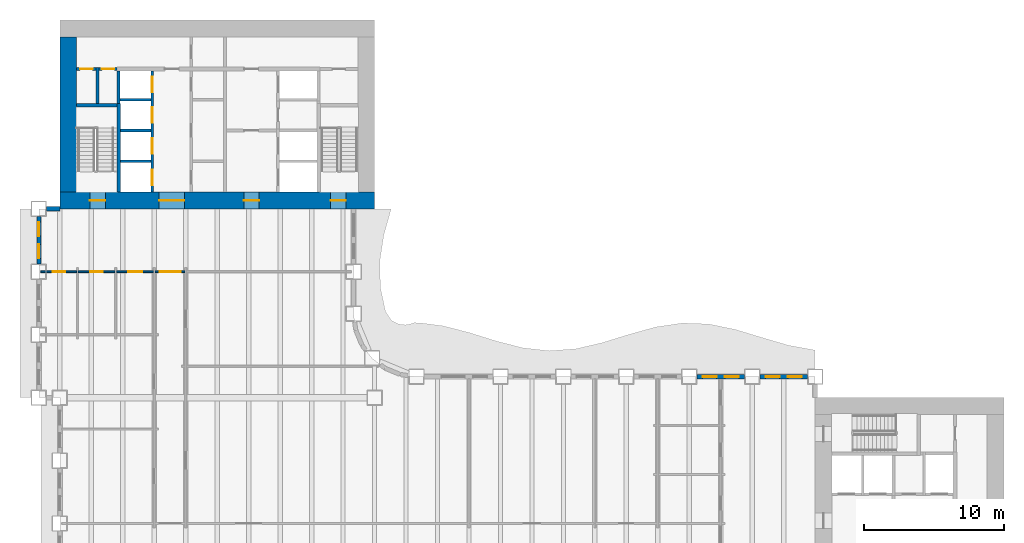
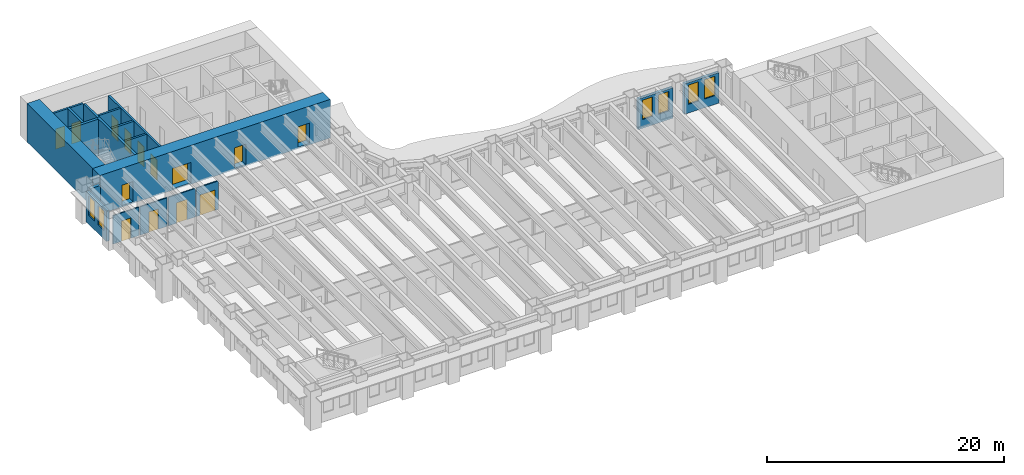
# One storey, part 7 of 16: 20 walls, 14 doors, 6 windows, 20 openings.
"""IFC4 building model written with IfcOpenShell, lengths in metres."""

import ifcopenshell
import ifcopenshell.guid

model = None  # the IFC model being written
_history = None  # IfcOwnerHistory: only IFC2X3 demands one
_inside = {}  # id of a spatial element -> (the spatial element, [elements in it])
_under = {}  # id of a project, library or spatial element -> (it, [spatial elements below it])
_declared = {}  # id of a project -> (the project, [libraries it declares])
_typed = {}  # id of a type object -> (the type object, [elements of that type])
_made_of = {}  # id of a material, layer set ... -> (it, [elements and type objects made of it])


def new_model(schema):
    """Start an empty IFC model of exactly this schema.

    Asked for "IFC4X3", IfcOpenShell would pick the latest addendum, in which some entities
    have other attributes; the version numbers below select the first issue.
    IFC2X3 requires an IfcOwnerHistory on every rooted entity: one is made here for all.
    """
    global model, _history
    if schema == "IFC4X3":
        model = ifcopenshell.file(schema_version=(4, 3, 0, 0))
    else:
        model = ifcopenshell.file(schema=schema)
    _inside.clear()
    _under.clear()
    _declared.clear()
    _typed.clear()
    _made_of.clear()
    _history = None
    if model.schema == "IFC2X3":
        org = make("IfcOrganization", Name="unknown")
        user = make(
            "IfcPersonAndOrganization",
            ThePerson=make("IfcPerson", FamilyName="unknown"),
            TheOrganization=org,
        )
        app = make(
            "IfcApplication",
            ApplicationDeveloper=org,
            Version="unknown",
            ApplicationFullName="unknown",
            ApplicationIdentifier="unknown",
        )
        _history = make(
            "IfcOwnerHistory",
            OwningUser=user,
            OwningApplication=app,
            ChangeAction="ADDED",
            CreationDate=0,
        )
    return model


def make(cls, **values):
    """One entity of the class cls with the attributes given. An attribute that is None is left unset."""
    return model.create_entity(
        cls, **{name: value for name, value in values.items() if value is not None}
    )


def rooted(cls, **values):
    """An entity with a GlobalId (a new one), such as an element, a storey or a relation."""
    return make(cls, GlobalId=ifcopenshell.guid.new(), OwnerHistory=_history, **values)


def si_unit(unit_type, name, prefix=None):
    """IfcSIUnit, for example si_unit("LENGTHUNIT", "METRE", prefix="MILLI")."""
    return make("IfcSIUnit", UnitType=unit_type, Prefix=prefix, Name=name)


def assignment(units):
    """IfcUnitAssignment: the units of a project."""
    return None if units is None else make("IfcUnitAssignment", Units=units)


def point(xyz):
    """IfcCartesianPoint."""
    return None if xyz is None else make("IfcCartesianPoint", Coordinates=xyz)


def direction(xyz):
    """IfcDirection."""
    return None if xyz is None else make("IfcDirection", DirectionRatios=xyz)


def frame(location, z_axis=None, x_axis=None):
    """IfcAxis2Placement3D, a coordinate frame: its origin and axes. An axis left out is left unset."""
    return make(
        "IfcAxis2Placement3D",
        Location=point(location),
        Axis=direction(z_axis),
        RefDirection=direction(x_axis),
    )


def frame_2d(location, x_axis=None):
    """IfcAxis2Placement2D, a coordinate frame in the plane: its origin and x axis."""
    return make(
        "IfcAxis2Placement2D", Location=point(location), RefDirection=direction(x_axis)
    )


def origin():
    """The frame at (0, 0, 0) with its axes left unset."""
    return frame((0.0, 0.0, 0.0))


def place(relative_to, where):
    """IfcLocalPlacement: puts the frame where relative to a parent placement (None: the world)."""
    return make(
        "IfcLocalPlacement", PlacementRelTo=relative_to, RelativePlacement=where
    )


def context(
    kind, dimensions, precision=None, world=None, true_north=None, identifier=None
):
    """IfcGeometricRepresentationContext, for example the 3D "Model" context."""
    return make(
        "IfcGeometricRepresentationContext",
        ContextIdentifier=identifier,
        ContextType=kind,
        CoordinateSpaceDimension=dimensions,
        Precision=precision,
        WorldCoordinateSystem=world,
        TrueNorth=true_north,
    )


def subcontext(parent, identifier, kind, view, scale=None):
    """IfcGeometricRepresentationSubContext, for example "Body" below "Model"."""
    return make(
        "IfcGeometricRepresentationSubContext",
        ContextIdentifier=identifier,
        ContextType=kind,
        ParentContext=parent,
        TargetScale=scale,
        TargetView=view,
    )


def project(units=None, contexts=None):
    """IfcProject with its units and contexts."""
    return rooted(
        "IfcProject",
        Name="project",
        RepresentationContexts=contexts,
        UnitsInContext=assignment(units),
    )


def spatial(cls, under=None, at=None, **own):
    """A site, building, storey or space (cls), placed at a placement, below another one or the project."""
    s = rooted(cls, ObjectPlacement=at, **own)
    if under is not None:
        _under.setdefault(under.id(), (under, []))[1].append(s)
    return s


def profile(cls, at=None, kind="AREA", **sizes):
    """A parametric profile (cls). Its sizes go by their IFC names, for example OverallWidth=200.0."""
    return make(cls, ProfileType=kind, Position=at, **sizes)


def rectangle(**sizes):
    """IfcRectangleProfileDef."""
    return profile("IfcRectangleProfileDef", **sizes)


def extrude(swept, where, along, depth):
    """IfcExtrudedAreaSolid: the profile swept, set in the frame where, extruded along a direction by depth."""
    return make(
        "IfcExtrudedAreaSolid",
        SweptArea=swept,
        Position=where,
        ExtrudedDirection=direction(along),
        Depth=depth,
    )


def shape(context_of_items, identifier, shape_type, items):
    """IfcShapeRepresentation: the items that make up one representation, for example the "Body"."""
    return make(
        "IfcShapeRepresentation",
        ContextOfItems=context_of_items,
        RepresentationIdentifier=identifier,
        RepresentationType=shape_type,
        Items=items,
    )


def material(Name=None, Category=None):
    """IfcMaterial."""
    return make("IfcMaterial", Name=Name, Category=Category)


def layer(
    of_material, thickness, ventilated=None, Name=None, Category=None, Priority=None
):
    """IfcMaterialLayer: one layer of a wall or slab, of a material (None: an air gap)."""
    return make(
        "IfcMaterialLayer",
        Material=of_material,
        LayerThickness=thickness,
        IsVentilated=ventilated,
        Name=Name,
        Category=Category,
        Priority=Priority,
    )


def layer_set(layers, Name=None):
    """IfcMaterialLayerSet."""
    return make("IfcMaterialLayerSet", MaterialLayers=layers, LayerSetName=Name)


def made_of(thing, what):
    """Note that an element or type object is made of a material, layer set ...; save() writes the relation."""
    if what is not None:
        _made_of.setdefault(what.id(), (what, []))[1].append(thing)
    return thing


def type_object(cls, material=None, **own):
    """A type object (cls), such as IfcWallType, which elements share."""
    return made_of(rooted(cls, **own), material)


def element(
    cls,
    number,
    at=None,
    inside=None,
    cuts=None,
    type_object=None,
    material=None,
    context=None,
    identifier="Body",
    shape_type=None,
    held_by="IfcProductDefinitionShape",
    body=None,
    shapes=None,
    **own,
):
    """One element of the class cls, such as IfcWall. Its Tag is "e" and its number.

    at: its placement. inside: the storey or other place that contains it. cuts: it is an
    opening in that element (IfcRelVoidsElement). A single representation is given by context,
    identifier, shape_type and body (its items); several are given by shapes. held_by: the class
    of the entity that holds the representations. save() writes the other relations.
    """
    e = rooted(cls, Tag="e%d" % number, ObjectPlacement=at, **own)
    if body is not None:
        shapes = [shape(context, identifier, shape_type, body)]
    if shapes is not None:
        e.Representation = make(held_by, Representations=shapes)
    if inside is not None:
        _inside.setdefault(inside.id(), (inside, []))[1].append(e)
    if cuts is not None:
        rooted(
            "IfcRelVoidsElement", RelatingBuildingElement=cuts, RelatedOpeningElement=e
        )
    if type_object is not None:
        _typed.setdefault(type_object.id(), (type_object, []))[1].append(e)
    return made_of(e, material)


def fill(opening, filler):
    """IfcRelFillsElement: the door or window that sits in an opening."""
    return rooted(
        "IfcRelFillsElement",
        RelatingOpeningElement=opening,
        RelatedBuildingElement=filler,
    )


def aggregate(whole, parts):
    """IfcRelAggregates: a whole, such as a stair, and the parts it consists of."""
    return rooted("IfcRelAggregates", RelatingObject=whole, RelatedObjects=parts)


def save(model, path):
    """Write the relations noted so far, then the file.

    IfcRelAggregates (storeys below a building ...), IfcRelContainedInSpatialStructure (elements
    in a storey), IfcRelDefinesByType, IfcRelAssociatesMaterial and IfcRelDeclares: one each for
    every whole, place, type object, material and project.
    """
    for whole, parts in _under.values():
        aggregate(whole, parts)
    for where, things in _inside.values():
        rooted(
            "IfcRelContainedInSpatialStructure",
            RelatedElements=things,
            RelatingStructure=where,
        )
    for kind, things in _typed.values():
        rooted("IfcRelDefinesByType", RelatedObjects=things, RelatingType=kind)
    for what, things in _made_of.values():
        rooted("IfcRelAssociatesMaterial", RelatedObjects=things, RelatingMaterial=what)
    for by, libraries in _declared.values():
        rooted("IfcRelDeclares", RelatingContext=by, RelatedDefinitions=libraries)
    model.write(path)


model = new_model("IFC4")

# Units and contexts
model_context = context("Model", 3, precision=1e-05, world=origin(), true_north=direction((0.0, 1.0)))
body_context = subcontext(model_context, "Body", "Model", "MODEL_VIEW")
ifc_project = project(units=[si_unit("LENGTHUNIT", "METRE"), si_unit("AREAUNIT", "SQUARE_METRE"), si_unit("VOLUMEUNIT", "CUBIC_METRE"), si_unit("PLANEANGLEUNIT", "RADIAN"), si_unit("MASSUNIT", "GRAM", prefix="KILO")], contexts=[model_context])

# Site, building, storey
site_placement = place(None, origin())
site = spatial("IfcSite", under=ifc_project, at=site_placement, CompositionType="ELEMENT")
building_placement = place(site_placement, origin())
building = spatial("IfcBuilding", under=site, at=building_placement, Name="Sennacour Bend Tower", CompositionType="ELEMENT")
storey_placement = place(building_placement, frame((0.0, 0.0, 45.0)))
storey = spatial("IfcBuildingStorey", under=building, at=storey_placement, Name="L09", CompositionType="ELEMENT", Elevation=45.0)

# Wall, openings, doors
ifc_material_1 = material(Name="Concrete C80/95", Category="concrete")
ifc_layer_1 = layer(ifc_material_1, 1.199951171875, Name="Concrete C80/95", Category="concrete")
ifc_layer_set_1 = layer_set([ifc_layer_1], Name="Concrete C80/95")
wall_type_1 = type_object("IfcWallType", Name="Core wall 1200 C80/95", PredefinedType="SHEAR", material=ifc_layer_set_1)
wall_1_placement = place(storey_placement, frame((0.0, 36.60009765625, -0.14990234375), z_axis=(0.0, 0.0, 1.0), x_axis=(1.0, 0.0, 0.0)))
wall_1 = element("IfcWall", 1, at=wall_1_placement, inside=storey, type_object=wall_type_1, Name="Core B wall L09 S", PredefinedType="SHEAR", context=body_context, shape_type="SweptSolid", body=[
    extrude(rectangle(XDim=22.5, YDim=1.199951171875, at=frame_2d((11.25, 0.0))), origin(), (0.0, 0.0, 1.0), 4.0),
])
opening_1_placement = place(wall_1_placement, frame((7.10009765625, 0.0, 0.14990234375)))
opening_1 = element("IfcOpeningElement", 2, at=opening_1_placement, cuts=wall_1, Name="Opening CD", PredefinedType="OPENING", context=body_context, shape_type="SweptSolid", body=[
    extrude(rectangle(XDim=1.800048828125, YDim=2.10009765625, at=frame_2d((0.89990234375, 1.050048828125))), frame((0.0, 0.60986328125, 0.0), z_axis=(0.0, -1.0, 0.0), x_axis=(1.0, 0.0, 0.0)), (0.0, 0.0, 1.0), 1.219970703125),
])
opening_2_placement = place(wall_1_placement, frame((13.14990234375, 0.0, 0.14990234375)))
opening_2 = element("IfcOpeningElement", 3, at=opening_2_placement, cuts=wall_1, Name="Opening FD", PredefinedType="OPENING", context=body_context, shape_type="SweptSolid", body=[
    extrude(rectangle(XDim=1.10009765625, YDim=2.10009765625, at=frame_2d((0.550048828125, 1.050048828125))), frame((0.0, 0.60986328125, 0.0), z_axis=(0.0, -1.0, 0.0), x_axis=(1.0, 0.0, 0.0)), (0.0, 0.0, 1.0), 1.219970703125),
])
opening_3_placement = place(wall_1_placement, frame((2.14990234375, 0.0, 0.14990234375)))
opening_3 = element("IfcOpeningElement", 4, at=opening_3_placement, cuts=wall_1, Name="Opening SD", PredefinedType="OPENING", context=body_context, shape_type="SweptSolid", body=[
    extrude(rectangle(XDim=1.10009765625, YDim=2.10009765625, at=frame_2d((0.550048828125, 1.050048828125))), frame((0.0, 0.60986328125, 0.0), z_axis=(0.0, -1.0, 0.0), x_axis=(1.0, 0.0, 0.0)), (0.0, 0.0, 1.0), 1.219970703125),
])
opening_4_placement = place(wall_1_placement, frame((19.35009765625, 0.0, 0.14990234375)))
opening_4 = element("IfcOpeningElement", 5, at=opening_4_placement, cuts=wall_1, Name="Opening SD", PredefinedType="OPENING", context=body_context, shape_type="SweptSolid", body=[
    extrude(rectangle(XDim=1.10009765625, YDim=2.10009765625, at=frame_2d((0.550048828125, 1.050048828125))), frame((0.0, 0.60986328125, 0.0), z_axis=(0.0, -1.0, 0.0), x_axis=(1.0, 0.0, 0.0)), (0.0, 0.0, 1.0), 1.219970703125),
])
ifc_material_2 = material(Name="Painted steel", Category="steel")
door_type_1 = type_object("IfcDoorType", Name="DR-FFL-1100", OperationType="NOTDEFINED", PredefinedType="DOOR", material=ifc_material_2)
door_1_placement = place(opening_2_placement, origin())
door_1 = element("IfcDoor", 6, at=door_1_placement, inside=storey, type_object=door_type_1, Name="Door", OperationType="SINGLE_SWING_RIGHT", OverallHeight=2.10009765625, OverallWidth=1.10009765625, PredefinedType="DOOR", context=body_context, shape_type="SweptSolid", body=[
    extrude(rectangle(XDim=1.10009765625, YDim=2.10009765625, at=frame_2d((0.550048828125, 1.050048828125))), frame((0.0, 0.02490234375, 0.0), z_axis=(0.0, -1.0, 0.0), x_axis=(1.0, 0.0, 0.0)), (0.0, 0.0, 1.0), 0.050048828125),
])
fill(opening_2, door_1)
door_type_2 = type_object("IfcDoorType", Name="DR-LOBBY-1800", OperationType="NOTDEFINED", PredefinedType="DOOR", material=ifc_material_2)
door_2_placement = place(opening_1_placement, origin())
door_2 = element("IfcDoor", 7, at=door_2_placement, inside=storey, type_object=door_type_2, Name="Door", OperationType="DOUBLE_DOOR_SINGLE_SWING", OverallHeight=2.10009765625, OverallWidth=1.800048828125, PredefinedType="DOOR", context=body_context, shape_type="SweptSolid", body=[
    extrude(rectangle(XDim=1.800048828125, YDim=2.10009765625, at=frame_2d((0.89990234375, 1.050048828125))), frame((0.0, 0.02490234375, 0.0), z_axis=(0.0, -1.0, 0.0), x_axis=(1.0, 0.0, 0.0)), (0.0, 0.0, 1.0), 0.050048828125),
])
fill(opening_1, door_2)
door_type_3 = type_object("IfcDoorType", Name="DR-STAIR-1100", OperationType="NOTDEFINED", PredefinedType="DOOR", material=ifc_material_2)
door_3_placement = place(opening_3_placement, origin())
door_3 = element("IfcDoor", 8, at=door_3_placement, inside=storey, type_object=door_type_3, Name="Door", OperationType="SINGLE_SWING_LEFT", OverallHeight=2.10009765625, OverallWidth=1.10009765625, PredefinedType="DOOR", context=body_context, shape_type="SweptSolid", body=[
    extrude(rectangle(XDim=1.10009765625, YDim=2.10009765625, at=frame_2d((0.550048828125, 1.050048828125))), frame((0.0, 0.02490234375, 0.0), z_axis=(0.0, -1.0, 0.0), x_axis=(1.0, 0.0, 0.0)), (0.0, 0.0, 1.0), 0.050048828125),
])
fill(opening_3, door_3)
door_4_placement = place(opening_4_placement, origin())
door_4 = element("IfcDoor", 9, at=door_4_placement, inside=storey, type_object=door_type_3, Name="Door", OperationType="SINGLE_SWING_RIGHT", OverallHeight=2.10009765625, OverallWidth=1.10009765625, PredefinedType="DOOR", context=body_context, shape_type="SweptSolid", body=[
    extrude(rectangle(XDim=1.10009765625, YDim=2.10009765625, at=frame_2d((0.550048828125, 1.050048828125))), frame((0.0, 0.02490234375, 0.0), z_axis=(0.0, -1.0, 0.0), x_axis=(1.0, 0.0, 0.0)), (0.0, 0.0, 1.0), 0.050048828125),
])
fill(opening_4, door_4)

# Wall
wall_2_placement = place(storey_placement, frame((0.60009765625, 37.199951171875, -0.14990234375), z_axis=(0.0, 0.0, 1.0), x_axis=(0.0, 1.0, 0.0)))
element("IfcWall", 10, at=wall_2_placement, inside=storey, type_object=wall_type_1, Name="Core B wall L09 W", PredefinedType="SHEAR", context=body_context, shape_type="SweptSolid", body=[
    extrude(rectangle(XDim=11.10009765625, YDim=1.199951171875, at=frame_2d((5.550048828125, 0.0))), origin(), (0.0, 0.0, 1.0), 4.0),
])

# Wall, opening, door
ifc_material_3 = material(Name="Plasterboard partition on steel studs", Category="steel")
ifc_layer_2 = layer(ifc_material_3, 0.1201171875, Name="Plasterboard partition on steel studs", Category="steel")
ifc_layer_set_2 = layer_set([ifc_layer_2], Name="Plasterboard partition on steel studs")
wall_type_2 = type_object("IfcWallType", Name="Partition 120", PredefinedType="PARTITIONING", material=ifc_layer_set_2)
wall_3_placement = place(storey_placement, frame((-1.35009765625, 31.5, 0.0), z_axis=(0.0, 0.0, 1.0), x_axis=(1.0, 0.0, 0.0)))
wall_3 = element("IfcWall", 11, at=wall_3_placement, inside=storey, type_object=wall_type_2, Name="P-L09-W075aa", PredefinedType="PARTITIONING", context=body_context, shape_type="SweptSolid", body=[
    extrude(rectangle(XDim=2.5400390625, YDim=0.1201171875, at=frame_2d((1.27001953125, 0.0))), origin(), (0.0, 0.0, 1.0), 2.93798828125),
])
opening_5_placement = place(wall_3_placement, frame((0.85009765625, 0.0, 0.0)))
opening_5 = element("IfcOpeningElement", 12, at=opening_5_placement, cuts=wall_3, Name="Opening WD", PredefinedType="OPENING", context=body_context, shape_type="SweptSolid", body=[
    extrude(rectangle(XDim=0.89990234375, YDim=2.10009765625, at=frame_2d((0.449951171875, 1.050048828125))), frame((0.0, 0.070068359375, 0.0), z_axis=(0.0, -1.0, 0.0), x_axis=(1.0, 0.0, 0.0)), (0.0, 0.0, 1.0), 0.14013671875),
])
ifc_material_4 = material(Name="Timber", Category="wood")
door_type_4 = type_object("IfcDoorType", Name="DR-WC-900", OperationType="NOTDEFINED", PredefinedType="DOOR", material=ifc_material_4)
door_5_placement = place(opening_5_placement, origin())
door_5 = element("IfcDoor", 13, at=door_5_placement, inside=storey, type_object=door_type_4, Name="Door", OperationType="SINGLE_SWING_RIGHT", OverallHeight=2.10009765625, OverallWidth=0.89990234375, PredefinedType="DOOR", context=body_context, shape_type="SweptSolid", body=[
    extrude(rectangle(XDim=0.89990234375, YDim=2.10009765625, at=frame_2d((0.449951171875, 1.050048828125))), frame((0.0, 0.02490234375, 0.0), z_axis=(0.0, -1.0, 0.0), x_axis=(1.0, 0.0, 0.0)), (0.0, 0.0, 1.0), 0.050048828125),
])
fill(opening_5, door_5)

wall_4_placement = place(storey_placement, frame((1.31005859375, 31.5, 0.0), z_axis=(0.0, 0.0, 1.0), x_axis=(1.0, 0.0, 0.0)))
wall_4 = element("IfcWall", 14, at=wall_4_placement, inside=storey, type_object=wall_type_2, Name="P-L09-W075ab", PredefinedType="PARTITIONING", context=body_context, shape_type="SweptSolid", body=[
    extrude(rectangle(XDim=2.6298828125, YDim=0.1201171875, at=frame_2d((1.31494140625, 0.0))), origin(), (0.0, 0.0, 1.0), 2.93798828125),
])
opening_6_placement = place(wall_4_placement, frame((0.864990234375, 0.0, 0.0)))
opening_6 = element("IfcOpeningElement", 15, at=opening_6_placement, cuts=wall_4, Name="Opening WD", PredefinedType="OPENING", context=body_context, shape_type="SweptSolid", body=[
    extrude(rectangle(XDim=0.89990234375, YDim=2.10009765625, at=frame_2d((0.449951171875, 1.050048828125))), frame((0.0, 0.070068359375, 0.0), z_axis=(0.0, -1.0, 0.0), x_axis=(1.0, 0.0, 0.0)), (0.0, 0.0, 1.0), 0.14013671875),
])
door_6_placement = place(opening_6_placement, origin())
door_6 = element("IfcDoor", 16, at=door_6_placement, inside=storey, type_object=door_type_4, Name="Door", OperationType="SINGLE_SWING_LEFT", OverallHeight=2.10009765625, OverallWidth=0.89990234375, PredefinedType="DOOR", context=body_context, shape_type="SweptSolid", body=[
    extrude(rectangle(XDim=0.89990234375, YDim=2.10009765625, at=frame_2d((0.449951171875, 1.050048828125))), frame((0.0, 0.02490234375, 0.0), z_axis=(0.0, -1.0, 0.0), x_axis=(1.0, 0.0, 0.0)), (0.0, 0.0, 1.0), 0.050048828125),
])
fill(opening_6, door_6)

wall_5_placement = place(storey_placement, frame((4.06005859375, 31.5, 0.0), z_axis=(0.0, 0.0, 1.0), x_axis=(1.0, 0.0, 0.0)))
wall_5 = element("IfcWall", 17, at=wall_5_placement, inside=storey, type_object=wall_type_2, Name="P-L09-W075ac", PredefinedType="PARTITIONING", context=body_context, shape_type="SweptSolid", body=[
    extrude(rectangle(XDim=2.6298828125, YDim=0.1201171875, at=frame_2d((1.31494140625, 0.0))), origin(), (0.0, 0.0, 1.0), 2.93798828125),
])
opening_7_placement = place(wall_5_placement, frame((0.81494140625, 0.0, 0.0)))
opening_7 = element("IfcOpeningElement", 18, at=opening_7_placement, cuts=wall_5, Name="Opening AD", PredefinedType="OPENING", context=body_context, shape_type="SweptSolid", body=[
    extrude(rectangle(XDim=1.0, YDim=2.10009765625, at=frame_2d((0.5, 1.050048828125))), frame((0.0, 0.070068359375, 0.0), z_axis=(0.0, -1.0, 0.0), x_axis=(1.0, 0.0, 0.0)), (0.0, 0.0, 1.0), 0.14013671875),
])
door_type_5 = type_object("IfcDoorType", Name="DR-ACC-WC-1000", OperationType="NOTDEFINED", PredefinedType="DOOR", material=ifc_material_4)
door_7_placement = place(opening_7_placement, origin())
door_7 = element("IfcDoor", 19, at=door_7_placement, inside=storey, type_object=door_type_5, Name="Door", OperationType="SINGLE_SWING_LEFT", OverallHeight=2.10009765625, OverallWidth=1.0, PredefinedType="DOOR", context=body_context, shape_type="SweptSolid", body=[
    extrude(rectangle(XDim=1.0, YDim=2.10009765625, at=frame_2d((0.5, 1.050048828125))), frame((0.0, 0.02490234375, 0.0), z_axis=(0.0, -1.0, 0.0), x_axis=(1.0, 0.0, 0.0)), (0.0, 0.0, 1.0), 0.050048828125),
])
fill(opening_7, door_7)

ifc_layer_3 = layer(ifc_material_3, 0.1201171875, Name="Plasterboard partition on steel studs", Category="steel")
ifc_layer_set_3 = layer_set([ifc_layer_3], Name="Plasterboard partition on steel studs")
wall_type_3 = type_object("IfcWallType", Name="Partition 120 EI 30", PredefinedType="PARTITIONING", material=ifc_layer_set_3)
wall_6_placement = place(storey_placement, frame((6.81005859375, 31.5, 0.0), z_axis=(0.0, 0.0, 1.0), x_axis=(1.0, 0.0, 0.0)))
wall_6 = element("IfcWall", 20, at=wall_6_placement, inside=storey, type_object=wall_type_3, Name="P-L09-W075ad", PredefinedType="PARTITIONING", context=body_context, shape_type="SweptSolid", body=[
    extrude(rectangle(XDim=2.1298828125, YDim=0.1201171875, at=frame_2d((1.06494140625, 0.0))), origin(), (0.0, 0.0, 1.0), 2.93798828125),
])
opening_8_placement = place(wall_6_placement, frame((0.31494140625, 0.0, 0.0)))
opening_8 = element("IfcOpeningElement", 21, at=opening_8_placement, cuts=wall_6, Name="Opening KD", PredefinedType="OPENING", context=body_context, shape_type="SweptSolid", body=[
    extrude(rectangle(XDim=1.5, YDim=2.10009765625, at=frame_2d((0.75, 1.050048828125))), frame((0.0, 0.070068359375, 0.0), z_axis=(0.0, -1.0, 0.0), x_axis=(1.0, 0.0, 0.0)), (0.0, 0.0, 1.0), 0.14013671875),
])
door_type_6 = type_object("IfcDoorType", Name="DR-CORRIDOR-1500", OperationType="NOTDEFINED", PredefinedType="DOOR", material=ifc_material_2)
door_8_placement = place(opening_8_placement, origin())
door_8 = element("IfcDoor", 22, at=door_8_placement, inside=storey, type_object=door_type_6, Name="Door", OperationType="SINGLE_SWING_LEFT", OverallHeight=2.10009765625, OverallWidth=1.5, PredefinedType="DOOR", context=body_context, shape_type="SweptSolid", body=[
    extrude(rectangle(XDim=1.5, YDim=2.10009765625, at=frame_2d((0.75, 1.050048828125))), frame((0.0, 0.02490234375, 0.0), z_axis=(0.0, -1.0, 0.0), x_axis=(1.0, 0.0, 0.0)), (0.0, 0.0, 1.0), 0.050048828125),
])
fill(opening_8, door_8)

# Wall
ifc_material_5 = material(Name="Fire-rated plasterboard partition on steel studs", Category="steel")
ifc_layer_4 = layer(ifc_material_5, 0.199951171875, Name="Fire-rated plasterboard partition on steel studs", Category="steel")
ifc_layer_set_4 = layer_set([ifc_layer_4], Name="Fire-rated plasterboard partition on steel studs")
wall_type_4 = type_object("IfcWallType", Name="Rated partition 200", PredefinedType="PARTITIONING", material=ifc_layer_set_4)
wall_7_placement = place(storey_placement, frame((2.699951171875, 43.52490234375, 0.0), z_axis=(0.0, 0.0, 1.0), x_axis=(0.0, 1.0, 0.0)))
element("IfcWall", 23, at=wall_7_placement, inside=storey, type_object=wall_type_4, Name="P-L09-W005", PredefinedType="PARTITIONING", context=body_context, shape_type="SweptSolid", body=[
    extrude(rectangle(XDim=2.5751953125, YDim=0.199951171875, at=frame_2d((1.28759765625, 0.0))), origin(), (0.0, 0.0, 1.0), 3.85009765625),
])

# Wall, opening, door
wall_8_placement = place(storey_placement, frame((1.199951171875, 46.0, 0.0), z_axis=(0.0, 0.0, 1.0), x_axis=(1.0, 0.0, 0.0)))
wall_8 = element("IfcWall", 24, at=wall_8_placement, inside=storey, type_object=wall_type_4, Name="P-L09-W088a", PredefinedType="PARTITIONING", context=body_context, shape_type="SweptSolid", body=[
    extrude(rectangle(XDim=1.400146484375, YDim=0.199951171875, at=frame_2d((0.7001953125, 0.0))), origin(), (0.0, 0.0, 1.0), 3.85009765625),
])
opening_9_placement = place(wall_8_placement, frame((0.25, 0.0, 0.0)))
opening_9 = element("IfcOpeningElement", 25, at=opening_9_placement, cuts=wall_8, Name="Opening SV", PredefinedType="OPENING", context=body_context, shape_type="SweptSolid", body=[
    extrude(rectangle(XDim=0.89990234375, YDim=2.10009765625, at=frame_2d((0.449951171875, 1.050048828125))), frame((0.0, 0.10986328125, 0.0), z_axis=(0.0, -1.0, 0.0), x_axis=(1.0, 0.0, 0.0)), (0.0, 0.0, 1.0), 0.219970703125),
])
door_type_7 = type_object("IfcDoorType", Name="DR-SERVICE-900", OperationType="NOTDEFINED", PredefinedType="DOOR", material=ifc_material_2)
door_9_placement = place(opening_9_placement, origin())
door_9 = element("IfcDoor", 26, at=door_9_placement, inside=storey, type_object=door_type_7, Name="Door", OperationType="SINGLE_SWING_LEFT", OverallHeight=2.10009765625, OverallWidth=0.89990234375, PredefinedType="DOOR", context=body_context, shape_type="SweptSolid", body=[
    extrude(rectangle(XDim=0.89990234375, YDim=2.10009765625, at=frame_2d((0.449951171875, 1.050048828125))), frame((0.0, 0.02490234375, 0.0), z_axis=(0.0, -1.0, 0.0), x_axis=(1.0, 0.0, 0.0)), (0.0, 0.0, 1.0), 0.050048828125),
])
fill(opening_9, door_9)

wall_9_placement = place(storey_placement, frame((2.800048828125, 46.0, 0.0), z_axis=(0.0, 0.0, 1.0), x_axis=(1.0, 0.0, 0.0)))
wall_9 = element("IfcWall", 27, at=wall_9_placement, inside=storey, type_object=wall_type_4, Name="P-L09-W088b", PredefinedType="PARTITIONING", context=body_context, shape_type="SweptSolid", body=[
    extrude(rectangle(XDim=1.300048828125, YDim=0.199951171875, at=frame_2d((0.64990234375, 0.0))), origin(), (0.0, 0.0, 1.0), 3.85009765625),
])
opening_10_placement = place(wall_9_placement, frame((0.199951171875, 0.0, 0.0)))
opening_10 = element("IfcOpeningElement", 28, at=opening_10_placement, cuts=wall_9, Name="Opening SV", PredefinedType="OPENING", context=body_context, shape_type="SweptSolid", body=[
    extrude(rectangle(XDim=0.89990234375, YDim=2.10009765625, at=frame_2d((0.449951171875, 1.050048828125))), frame((0.0, 0.10986328125, 0.0), z_axis=(0.0, -1.0, 0.0), x_axis=(1.0, 0.0, 0.0)), (0.0, 0.0, 1.0), 0.219970703125),
])
door_10_placement = place(opening_10_placement, origin())
door_10 = element("IfcDoor", 29, at=door_10_placement, inside=storey, type_object=door_type_7, Name="Door", OperationType="SINGLE_SWING_LEFT", OverallHeight=2.10009765625, OverallWidth=0.89990234375, PredefinedType="DOOR", context=body_context, shape_type="SweptSolid", body=[
    extrude(rectangle(XDim=0.89990234375, YDim=2.10009765625, at=frame_2d((0.449951171875, 1.050048828125))), frame((0.0, 0.02490234375, 0.0), z_axis=(0.0, -1.0, 0.0), x_axis=(1.0, 0.0, 0.0)), (0.0, 0.0, 1.0), 0.050048828125),
])
fill(opening_10, door_10)

# Wall, openings, windows
ifc_material_6 = material(Name="Warm limestone cladding", Category="masonry")
ifc_layer_5 = layer(ifc_material_6, 0.050048828125, Name="Warm limestone cladding", Category="masonry")
ifc_material_7 = material(Name="Precast concrete C40/50", Category="concrete")
ifc_layer_6 = layer(ifc_material_7, 0.25, Name="Precast concrete C40/50", Category="concrete")
ifc_layer_set_5 = layer_set([ifc_layer_5, ifc_layer_6], Name="Precast concrete C40/50 with limestone cladding")
wall_type_5 = type_object("IfcWallType", Name="STONE-CLAD PRECAST SPANDREL 300", PredefinedType="STANDARD", material=ifc_layer_set_5)
wall_10_placement = place(storey_placement, frame((53.449951171875, 24.0, 0.0), z_axis=(0.0, 0.0, 1.0), x_axis=(-1.0, 0.0, 0.0)))
wall_10 = element("IfcWall", 30, at=wall_10_placement, inside=storey, type_object=wall_type_5, Name="Stone spandrel and pier wall L09 08.00", PredefinedType="STANDARD", context=body_context, shape_type="SweptSolid", body=[
    extrude(rectangle(XDim=3.39990234375, YDim=0.300048828125, at=frame_2d((1.699951171875, 0.0))), origin(), (0.0, 0.0, 1.0), 3.14404296875),
])
opening_11_placement = place(wall_10_placement, frame((0.39990234375, 0.0, 0.89990234375)))
opening_11 = element("IfcOpeningElement", 31, at=opening_11_placement, cuts=wall_10, Name="Opening W8", PredefinedType="OPENING", context=body_context, shape_type="SweptSolid", body=[
    extrude(rectangle(XDim=1.0, YDim=2.0, at=frame_2d((0.5, 1.0))), frame((0.0, 0.16015625, 0.0), z_axis=(0.0, -1.0, 0.0), x_axis=(1.0, 0.0, 0.0)), (0.0, 0.0, 1.0), 0.320068359375),
])
opening_12_placement = place(wall_10_placement, frame((2.0, 0.0, 0.89990234375)))
opening_12 = element("IfcOpeningElement", 32, at=opening_12_placement, cuts=wall_10, Name="Opening W8", PredefinedType="OPENING", context=body_context, shape_type="SweptSolid", body=[
    extrude(rectangle(XDim=1.0, YDim=2.0, at=frame_2d((0.5, 1.0))), frame((0.0, 0.16015625, 0.0), z_axis=(0.0, -1.0, 0.0), x_axis=(1.0, 0.0, 0.0)), (0.0, 0.0, 1.0), 0.320068359375),
])
ifc_material_8 = material(Name="Clear low-emissivity glass", Category="glass")
window_type = type_object("IfcWindowType", Name="WIN-RIBBON-1000x2000", PartitioningType="SINGLE_PANEL", PredefinedType="WINDOW", material=ifc_material_8)
window_1_placement = place(opening_11_placement, origin())
window_1 = element("IfcWindow", 33, at=window_1_placement, inside=storey, type_object=window_type, Name="Ribbon window L09 08.00.0", OverallHeight=2.0, OverallWidth=1.0, PartitioningType="SINGLE_PANEL", PredefinedType="WINDOW", context=body_context, shape_type="SweptSolid", body=[
    extrude(rectangle(XDim=1.0, YDim=2.0, at=frame_2d((0.5, 1.0))), frame((0.0, 0.030029296875, 0.0), z_axis=(0.0, -1.0, 0.0), x_axis=(1.0, 0.0, 0.0)), (0.0, 0.0, 1.0), 0.06005859375),
])
fill(opening_11, window_1)
window_2_placement = place(opening_12_placement, origin())
window_2 = element("IfcWindow", 34, at=window_2_placement, inside=storey, type_object=window_type, Name="Ribbon window L09 08.00.1", OverallHeight=2.0, OverallWidth=1.0, PartitioningType="SINGLE_PANEL", PredefinedType="WINDOW", context=body_context, shape_type="SweptSolid", body=[
    extrude(rectangle(XDim=1.0, YDim=2.0, at=frame_2d((0.5, 1.0))), frame((0.0, 0.030029296875, 0.0), z_axis=(0.0, -1.0, 0.0), x_axis=(1.0, 0.0, 0.0)), (0.0, 0.0, 1.0), 0.06005859375),
])
fill(opening_12, window_2)

wall_11_placement = place(storey_placement, frame((48.949951171875, 24.0, 0.0), z_axis=(0.0, 0.0, 1.0), x_axis=(-1.0, 0.0, 0.0)))
wall_11 = element("IfcWall", 35, at=wall_11_placement, inside=storey, type_object=wall_type_5, Name="Stone spandrel and pier wall L09 08.01", PredefinedType="STANDARD", context=body_context, shape_type="SweptSolid", body=[
    extrude(rectangle(XDim=3.39990234375, YDim=0.300048828125, at=frame_2d((1.699951171875, 0.0))), origin(), (0.0, 0.0, 1.0), 3.14404296875),
])
opening_13_placement = place(wall_11_placement, frame((0.39990234375, 0.0, 0.89990234375)))
opening_13 = element("IfcOpeningElement", 36, at=opening_13_placement, cuts=wall_11, Name="Opening W8", PredefinedType="OPENING", context=body_context, shape_type="SweptSolid", body=[
    extrude(rectangle(XDim=1.0, YDim=2.0, at=frame_2d((0.5, 1.0))), frame((0.0, 0.16015625, 0.0), z_axis=(0.0, -1.0, 0.0), x_axis=(1.0, 0.0, 0.0)), (0.0, 0.0, 1.0), 0.320068359375),
])
opening_14_placement = place(wall_11_placement, frame((2.0, 0.0, 0.89990234375)))
opening_14 = element("IfcOpeningElement", 37, at=opening_14_placement, cuts=wall_11, Name="Opening W8", PredefinedType="OPENING", context=body_context, shape_type="SweptSolid", body=[
    extrude(rectangle(XDim=1.0, YDim=2.0, at=frame_2d((0.5, 1.0))), frame((0.0, 0.16015625, 0.0), z_axis=(0.0, -1.0, 0.0), x_axis=(1.0, 0.0, 0.0)), (0.0, 0.0, 1.0), 0.320068359375),
])
window_3_placement = place(opening_13_placement, origin())
window_3 = element("IfcWindow", 38, at=window_3_placement, inside=storey, type_object=window_type, Name="Ribbon window L09 08.01.0", OverallHeight=2.0, OverallWidth=1.0, PartitioningType="SINGLE_PANEL", PredefinedType="WINDOW", context=body_context, shape_type="SweptSolid", body=[
    extrude(rectangle(XDim=1.0, YDim=2.0, at=frame_2d((0.5, 1.0))), frame((0.0, 0.030029296875, 0.0), z_axis=(0.0, -1.0, 0.0), x_axis=(1.0, 0.0, 0.0)), (0.0, 0.0, 1.0), 0.06005859375),
])
fill(opening_13, window_3)
window_4_placement = place(opening_14_placement, origin())
window_4 = element("IfcWindow", 39, at=window_4_placement, inside=storey, type_object=window_type, Name="Ribbon window L09 08.01.1", OverallHeight=2.0, OverallWidth=1.0, PartitioningType="SINGLE_PANEL", PredefinedType="WINDOW", context=body_context, shape_type="SweptSolid", body=[
    extrude(rectangle(XDim=1.0, YDim=2.0, at=frame_2d((0.5, 1.0))), frame((0.0, 0.030029296875, 0.0), z_axis=(0.0, -1.0, 0.0), x_axis=(1.0, 0.0, 0.0)), (0.0, 0.0, 1.0), 0.06005859375),
])
fill(opening_14, window_4)

# Wall
wall_12_placement = place(storey_placement, frame((0.0, 36.0, 0.0), z_axis=(0.0, 0.0, 1.0), x_axis=(-1.0, 0.0, 0.0)))
element("IfcWall", 40, at=wall_12_placement, inside=storey, type_object=wall_type_5, Name="Stone spandrel and pier wall L09 20.00", PredefinedType="STANDARD", context=body_context, shape_type="SweptSolid", body=[
    extrude(rectangle(XDim=0.949951171875, YDim=0.300048828125, at=frame_2d((0.47509765625, 0.0))), origin(), (0.0, 0.0, 1.0), 2.93798828125),
])

# Wall, openings, windows
wall_13_placement = place(storey_placement, frame((-1.5, 35.449951171875, 0.0), z_axis=(0.0, 0.0, 1.0), x_axis=(0.0, -1.0, 0.0)))
wall_13 = element("IfcWall", 41, at=wall_13_placement, inside=storey, type_object=wall_type_5, Name="Stone spandrel and pier wall L09 21.00", PredefinedType="STANDARD", context=body_context, shape_type="SweptSolid", body=[
    extrude(rectangle(XDim=3.39990234375, YDim=0.300048828125, at=frame_2d((1.699951171875, 0.0))), origin(), (0.0, 0.0, 1.0), 3.14404296875),
])
opening_15_placement = place(wall_13_placement, frame((0.39990234375, 0.0, 0.89990234375)))
opening_15 = element("IfcOpeningElement", 42, at=opening_15_placement, cuts=wall_13, Name="Opening W8", PredefinedType="OPENING", context=body_context, shape_type="SweptSolid", body=[
    extrude(rectangle(XDim=1.0, YDim=2.0, at=frame_2d((0.5, 1.0))), frame((0.0, 0.16015625, 0.0), z_axis=(0.0, -1.0, 0.0), x_axis=(1.0, 0.0, 0.0)), (0.0, 0.0, 1.0), 0.320068359375),
])
opening_16_placement = place(wall_13_placement, frame((2.0, 0.0, 0.89990234375)))
opening_16 = element("IfcOpeningElement", 43, at=opening_16_placement, cuts=wall_13, Name="Opening W8", PredefinedType="OPENING", context=body_context, shape_type="SweptSolid", body=[
    extrude(rectangle(XDim=1.0, YDim=2.0, at=frame_2d((0.5, 1.0))), frame((0.0, 0.16015625, 0.0), z_axis=(0.0, -1.0, 0.0), x_axis=(1.0, 0.0, 0.0)), (0.0, 0.0, 1.0), 0.320068359375),
])
window_5_placement = place(opening_15_placement, origin())
window_5 = element("IfcWindow", 44, at=window_5_placement, inside=storey, type_object=window_type, Name="Ribbon window L09 21.00.0", OverallHeight=2.0, OverallWidth=1.0, PartitioningType="SINGLE_PANEL", PredefinedType="WINDOW", context=body_context, shape_type="SweptSolid", body=[
    extrude(rectangle(XDim=1.0, YDim=2.0, at=frame_2d((0.5, 1.0))), frame((0.0, 0.030029296875, 0.0), z_axis=(0.0, -1.0, 0.0), x_axis=(1.0, 0.0, 0.0)), (0.0, 0.0, 1.0), 0.06005859375),
])
fill(opening_15, window_5)
window_6_placement = place(opening_16_placement, origin())
window_6 = element("IfcWindow", 45, at=window_6_placement, inside=storey, type_object=window_type, Name="Ribbon window L09 21.00.1", OverallHeight=2.0, OverallWidth=1.0, PartitioningType="SINGLE_PANEL", PredefinedType="WINDOW", context=body_context, shape_type="SweptSolid", body=[
    extrude(rectangle(XDim=1.0, YDim=2.0, at=frame_2d((0.5, 1.0))), frame((0.0, 0.030029296875, 0.0), z_axis=(0.0, -1.0, 0.0), x_axis=(1.0, 0.0, 0.0)), (0.0, 0.0, 1.0), 0.06005859375),
])
fill(opening_16, window_6)

# Wall
ifc_material_9 = material(Name="Concrete C50/60", Category="concrete")
ifc_layer_7 = layer(ifc_material_9, 0.199951171875, Name="Concrete C50/60", Category="concrete")
ifc_layer_set_6 = layer_set([ifc_layer_7], Name="Concrete C50/60")
wall_type_6 = type_object("IfcWallType", Name="Shaft wall 200", PredefinedType="SOLIDWALL", material=ifc_layer_set_6)
wall_14_placement = place(storey_placement, frame((4.199951171875, 43.52490234375, 0.0), z_axis=(0.0, 0.0, 1.0), x_axis=(0.0, 1.0, 0.0)))
element("IfcWall", 46, at=wall_14_placement, inside=storey, type_object=wall_type_6, Name="P-L09-W008", PredefinedType="SOLIDWALL", context=body_context, shape_type="SweptSolid", body=[
    extrude(rectangle(XDim=2.3251953125, YDim=0.199951171875, at=frame_2d((1.16259765625, 0.0))), origin(), (0.0, 0.0, 1.0), 3.85009765625),
])

# Wall, openings, doors
wall_15_placement = place(storey_placement, frame((6.60009765625, 37.199951171875, 0.0), z_axis=(0.0, 0.0, 1.0), x_axis=(0.0, 1.0, 0.0)))
wall_15 = element("IfcWall", 47, at=wall_15_placement, inside=storey, type_object=wall_type_6, Name="P-L09-W009", PredefinedType="SOLIDWALL", context=body_context, shape_type="SweptSolid", body=[
    extrude(rectangle(XDim=8.650146484375, YDim=0.199951171875, at=frame_2d((4.3251953125, 0.0))), origin(), (0.0, 0.0, 1.0), 3.85009765625),
])
opening_17_placement = place(wall_15_placement, frame((0.5, 0.0, 0.011962890625)))
opening_17 = element("IfcOpeningElement", 48, at=opening_17_placement, cuts=wall_15, Name="Opening LD", PredefinedType="OPENING", context=body_context, shape_type="SweptSolid", body=[
    extrude(rectangle(XDim=1.10009765625, YDim=2.10009765625, at=frame_2d((0.550048828125, 1.050048828125))), frame((0.0, 0.10986328125, 0.0), z_axis=(0.0, -1.0, 0.0), x_axis=(1.0, 0.0, 0.0)), (0.0, 0.0, 1.0), 0.219970703125),
])
opening_18_placement = place(wall_15_placement, frame((2.75, 0.0, 0.011962890625)))
opening_18 = element("IfcOpeningElement", 49, at=opening_18_placement, cuts=wall_15, Name="Opening LD", PredefinedType="OPENING", context=body_context, shape_type="SweptSolid", body=[
    extrude(rectangle(XDim=1.10009765625, YDim=2.10009765625, at=frame_2d((0.550048828125, 1.050048828125))), frame((0.0, 0.10986328125, 0.0), z_axis=(0.0, -1.0, 0.0), x_axis=(1.0, 0.0, 0.0)), (0.0, 0.0, 1.0), 0.219970703125),
])
opening_19_placement = place(wall_15_placement, frame((4.949951171875, 0.0, 0.011962890625)))
opening_19 = element("IfcOpeningElement", 50, at=opening_19_placement, cuts=wall_15, Name="Opening LD", PredefinedType="OPENING", context=body_context, shape_type="SweptSolid", body=[
    extrude(rectangle(XDim=1.10009765625, YDim=2.10009765625, at=frame_2d((0.550048828125, 1.050048828125))), frame((0.0, 0.10986328125, 0.0), z_axis=(0.0, -1.0, 0.0), x_axis=(1.0, 0.0, 0.0)), (0.0, 0.0, 1.0), 0.219970703125),
])
opening_20_placement = place(wall_15_placement, frame((7.125, 0.0, 0.011962890625)))
opening_20 = element("IfcOpeningElement", 51, at=opening_20_placement, cuts=wall_15, Name="Opening LD", PredefinedType="OPENING", context=body_context, shape_type="SweptSolid", body=[
    extrude(rectangle(XDim=1.10009765625, YDim=2.10009765625, at=frame_2d((0.550048828125, 1.050048828125))), frame((0.0, 0.10986328125, 0.0), z_axis=(0.0, -1.0, 0.0), x_axis=(1.0, 0.0, 0.0)), (0.0, 0.0, 1.0), 0.219970703125),
])
ifc_material_10 = material(Name="Stainless steel", Category="steel")
door_type_8 = type_object("IfcDoorType", Name="DR-LANDING-1100", OperationType="NOTDEFINED", PredefinedType="DOOR", material=ifc_material_10)
door_11_placement = place(opening_17_placement, origin())
door_11 = element("IfcDoor", 52, at=door_11_placement, inside=storey, type_object=door_type_8, Name="Lift landing door LB1", OperationType="SLIDING_TO_LEFT", OverallHeight=2.10009765625, OverallWidth=1.10009765625, PredefinedType="DOOR", context=body_context, shape_type="SweptSolid", body=[
    extrude(rectangle(XDim=1.10009765625, YDim=2.10009765625, at=frame_2d((0.550048828125, 1.050048828125))), frame((0.0, 0.02490234375, 0.0), z_axis=(0.0, -1.0, 0.0), x_axis=(1.0, 0.0, 0.0)), (0.0, 0.0, 1.0), 0.050048828125),
])
fill(opening_17, door_11)
door_12_placement = place(opening_18_placement, origin())
door_12 = element("IfcDoor", 53, at=door_12_placement, inside=storey, type_object=door_type_8, Name="Lift landing door LB2", OperationType="SLIDING_TO_RIGHT", OverallHeight=2.10009765625, OverallWidth=1.10009765625, PredefinedType="DOOR", context=body_context, shape_type="SweptSolid", body=[
    extrude(rectangle(XDim=1.10009765625, YDim=2.10009765625, at=frame_2d((0.550048828125, 1.050048828125))), frame((0.0, 0.02490234375, 0.0), z_axis=(0.0, -1.0, 0.0), x_axis=(1.0, 0.0, 0.0)), (0.0, 0.0, 1.0), 0.050048828125),
])
fill(opening_18, door_12)
door_13_placement = place(opening_19_placement, origin())
door_13 = element("IfcDoor", 54, at=door_13_placement, inside=storey, type_object=door_type_8, Name="Lift landing door LB3", OperationType="SLIDING_TO_LEFT", OverallHeight=2.10009765625, OverallWidth=1.10009765625, PredefinedType="DOOR", context=body_context, shape_type="SweptSolid", body=[
    extrude(rectangle(XDim=1.10009765625, YDim=2.10009765625, at=frame_2d((0.550048828125, 1.050048828125))), frame((0.0, 0.02490234375, 0.0), z_axis=(0.0, -1.0, 0.0), x_axis=(1.0, 0.0, 0.0)), (0.0, 0.0, 1.0), 0.050048828125),
])
fill(opening_19, door_13)
door_14_placement = place(opening_20_placement, origin())
door_14 = element("IfcDoor", 55, at=door_14_placement, inside=storey, type_object=door_type_8, Name="Lift landing door LB4", OperationType="SLIDING_TO_RIGHT", OverallHeight=2.10009765625, OverallWidth=1.10009765625, PredefinedType="DOOR", context=body_context, shape_type="SweptSolid", body=[
    extrude(rectangle(XDim=1.10009765625, YDim=2.10009765625, at=frame_2d((0.550048828125, 1.050048828125))), frame((0.0, 0.02490234375, 0.0), z_axis=(0.0, -1.0, 0.0), x_axis=(1.0, 0.0, 0.0)), (0.0, 0.0, 1.0), 0.050048828125),
])
fill(opening_20, door_14)

# Walls
for number, where, z_axis, x_axis, name in (
    (56, (4.324951171875, 39.39990234375, 0.0), (0.0, 0.0, 1.0), (1.0, 0.0, 0.0), "P-L09-W077"),
    (57, (4.324951171875, 41.60009765625, 0.0), (0.0, 0.0, 1.0), (1.0, 0.0, 0.0), "P-L09-W080"),
):
    element("IfcWall", number, at=place(storey_placement, frame(where, z_axis=z_axis, x_axis=x_axis)), inside=storey, type_object=wall_type_6, Name=name, PredefinedType="SOLIDWALL", context=body_context, shape_type="SweptSolid", body=[
        extrude(rectangle(XDim=2.175048828125, YDim=0.199951171875, at=frame_2d((1.08740234375, 0.0))), origin(), (0.0, 0.0, 1.0), 3.85009765625),
    ])
wall_16_placement = place(storey_placement, frame((4.300048828125, 43.800048828125, 0.0), z_axis=(0.0, 0.0, 1.0), x_axis=(1.0, 0.0, 0.0)))
element("IfcWall", 58, at=wall_16_placement, inside=storey, type_object=wall_type_6, Name="P-L09-W085", PredefinedType="SOLIDWALL", context=body_context, shape_type="SweptSolid", body=[
    extrude(rectangle(XDim=2.199951171875, YDim=0.199951171875, at=frame_2d((1.10009765625, 0.0))), origin(), (0.0, 0.0, 1.0), 3.85009765625),
])
ifc_material_11 = material(Name="Concrete C60/75", Category="concrete")
ifc_layer_8 = layer(ifc_material_11, 0.25, Name="Concrete C60/75", Category="concrete")
ifc_layer_set_7 = layer_set([ifc_layer_8], Name="Concrete C60/75")
wall_type_7 = type_object("IfcWallType", Name="Stair wall 250", PredefinedType="SHEAR", material=ifc_layer_set_7)
wall_17_placement = place(storey_placement, frame((4.199951171875, 37.199951171875, 0.0), z_axis=(0.0, 0.0, 1.0), x_axis=(0.0, 1.0, 0.0)))
element("IfcWall", 59, at=wall_17_placement, inside=storey, type_object=wall_type_7, Name="P-L09-W007", PredefinedType="SHEAR", context=body_context, shape_type="SweptSolid", body=[
    extrude(rectangle(XDim=6.324951171875, YDim=0.25, at=frame_2d((3.16259765625, 0.0))), origin(), (0.0, 0.0, 1.0), 3.85009765625),
])
wall_18_placement = place(storey_placement, frame((1.199951171875, 43.39990234375, 0.0), z_axis=(0.0, 0.0, 1.0), x_axis=(1.0, 0.0, 0.0)))
element("IfcWall", 60, at=wall_18_placement, inside=storey, type_object=wall_type_7, Name="P-L09-W083", PredefinedType="SHEAR", context=body_context, shape_type="SweptSolid", body=[
    extrude(rectangle(XDim=2.875, YDim=0.25, at=frame_2d((1.4375, 0.0))), origin(), (0.0, 0.0, 1.0), 3.85009765625),
])

save(model, "model.ifc")
